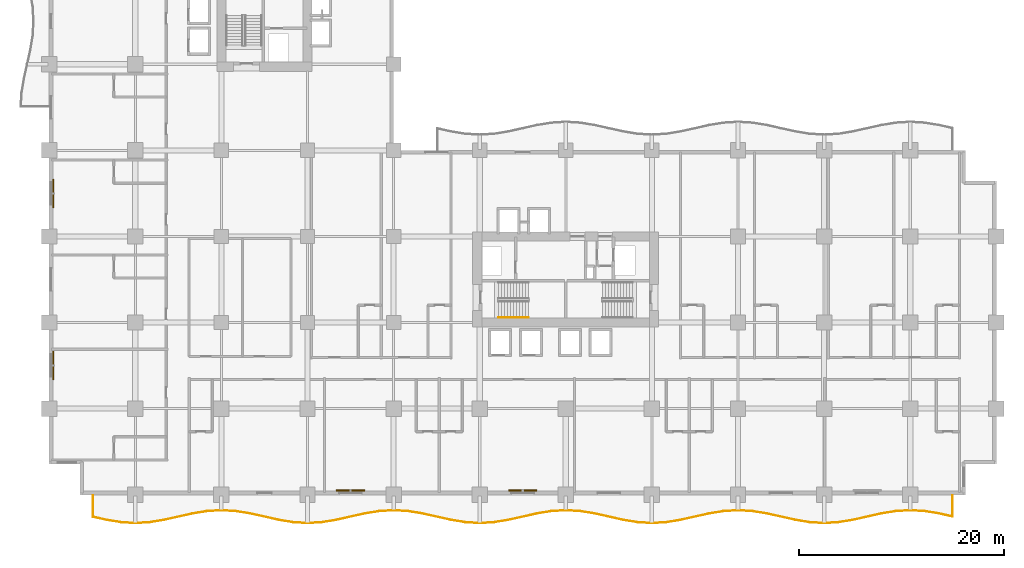
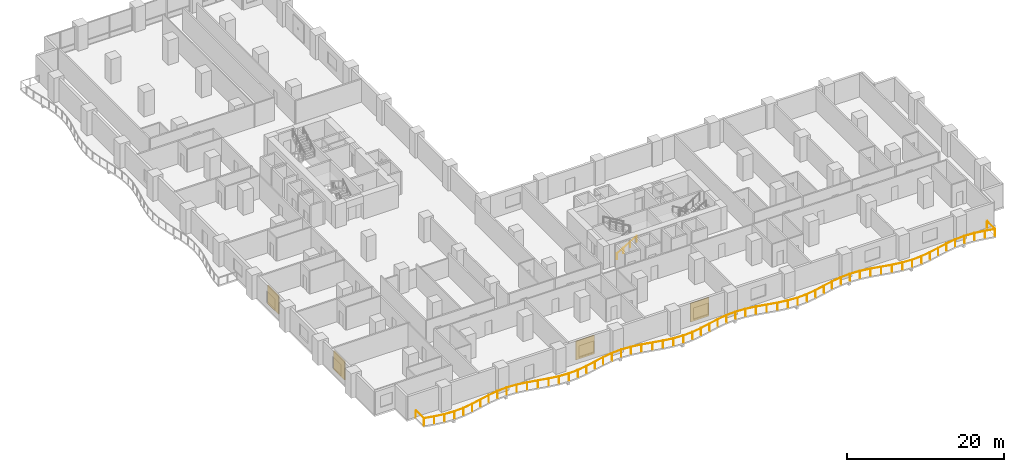
# One storey, part 21 of 24: 4 shading devices, 2 railings.
"""IFC4 building model written with IfcOpenShell, lengths in metres."""

from ifc_helpers import new_model, si_unit, direction, frame, origin, origin_2d, place, context, subcontext, project, spatial, rectangle, circle, extrude, material, layer, layer_set, type_object, element, save


model = new_model("IFC4")

# Units and contexts
model_context = context("Model", 3, precision=1e-05, world=origin(), true_north=direction((0.0, 1.0)))
body_context = subcontext(model_context, "Body", "Model", "MODEL_VIEW")
ifc_project = project(units=[si_unit("LENGTHUNIT", "METRE"), si_unit("AREAUNIT", "SQUARE_METRE"), si_unit("VOLUMEUNIT", "CUBIC_METRE"), si_unit("PLANEANGLEUNIT", "RADIAN"), si_unit("MASSUNIT", "GRAM", prefix="KILO")], contexts=[model_context])

# Site, building, storey
site_placement = place(None, origin())
site = spatial("IfcSite", under=ifc_project, at=site_placement, CompositionType="ELEMENT")
building_placement = place(site_placement, origin())
building = spatial("IfcBuilding", under=site, at=building_placement, Name="Koriwani Terraces Tower", CompositionType="ELEMENT")
storey_placement = place(building_placement, frame((0.0, 0.0, 47.199951171875)))
storey = spatial("IfcBuildingStorey", under=building, at=storey_placement, Name="L10", CompositionType="ELEMENT", Elevation=47.199951171875)

# Railings
ifc_material_1 = material(Name="Steel ASTM A572 Grade 50", Category="steel")
railing_type_1 = type_object("IfcRailingType", Name="GUARD_BALUSTRADE_1150", PredefinedType="BALUSTRADE", material=ifc_material_1)
railing_1_placement = place(storey_placement, frame((4.280029296875, -0.080078125, 0.0)))
element("IfcRailing", 1, at=railing_1_placement, inside=storey, type_object=railing_type_1, Name="L10 Balcony Perimeter Safety Balustrade (S)", PredefinedType="BALUSTRADE", context=body_context, shape_type="SweptSolid", body=[
    extrude(circle(Radius=0.02392578125, at=origin_2d()), frame((0.0, 0.0, 1.1259765625), z_axis=(0.0, -1.0, 0.0), x_axis=(1.0, 0.0, 0.0)), (0.0, 0.0, 1.0), 2.080810546875),
    extrude(circle(Radius=0.02392578125, at=origin_2d()), frame((0.0, -2.080810546875, 1.1259765625), z_axis=(0.97597243809, -0.217894011137, 0.0), x_axis=(0.217894011137, 0.97597243809, 0.0)), (0.0, 0.0, 1.0), 1.3681640625),
    extrude(circle(Radius=0.02392578125, at=origin_2d()), frame((1.335205078125, -2.37890625, 1.1259765625), z_axis=(0.986903124066, -0.16131405304, 0.0), x_axis=(0.16131405304, 0.986903124066, 0.0)), (0.0, 0.0, 1.0), 1.412109375),
    extrude(circle(Radius=0.02392578125, at=origin_2d()), frame((2.728759765625, -2.606689453125, 1.1259765625), z_axis=(0.998214050326, -0.059738678687, 0.0), x_axis=(0.059738678687, 0.998214050326, 0.0)), (0.0, 0.0, 1.0), 1.3935546875),
    extrude(circle(Radius=0.02392578125, at=origin_2d()), frame((4.119873046875, -2.68994140625, 1.1259765625), z_axis=(0.998214050326, 0.059738678687, 0.0), x_axis=(-0.059738678687, 0.998214050326, 0.0)), (0.0, 0.0, 1.0), 1.3935546875),
    extrude(circle(Radius=0.02392578125, at=origin_2d()), frame((5.510986328125, -2.606689453125, 1.1259765625), z_axis=(0.986907622111, 0.161286532042, 0.0), x_axis=(-0.161286532042, 0.986907622111, 0.0)), (0.0, 0.0, 1.0), 1.412353515625),
    extrude(circle(Radius=0.02392578125, at=origin_2d()), frame((6.90478515625, -2.37890625, 1.1259765625), z_axis=(0.975982393728, 0.217849413893, 0.0), x_axis=(-0.217849413893, 0.975982393728, 0.0)), (0.0, 0.0, 1.0), 2.868896484375),
    extrude(circle(Radius=0.02392578125, at=origin_2d()), frame((9.704833984375, -1.75390625, 1.1259765625), z_axis=(0.986916749742, 0.161230670401, 0.0), x_axis=(-0.161230670401, 0.986916749742, 0.0)), (0.0, 0.0, 1.0), 1.4248046875),
    extrude(circle(Radius=0.02392578125, at=origin_2d()), frame((11.111083984375, -1.524169921875, 1.1259765625), z_axis=(0.998217851573, 0.059675127152, 0.0), x_axis=(-0.059675127152, 0.998217851573, 0.0)), (0.0, 0.0, 1.0), 1.411376953125),
    extrude(circle(Radius=0.02392578125, at=origin_2d()), frame((12.52001953125, -1.43994140625, 1.1259765625), z_axis=(0.998217235442, -0.059685432622, 0.0), x_axis=(0.059685432622, 0.998217235442, 0.0)), (0.0, 0.0, 1.0), 1.4111328125),
    extrude(circle(Radius=0.02392578125, at=origin_2d()), frame((13.9287109375, -1.524169921875, 1.1259765625), z_axis=(0.986921202645, -0.161203411159, 0.0), x_axis=(0.161203411159, 0.986921202645, 0.0)), (0.0, 0.0, 1.0), 1.425048828125),
    extrude(circle(Radius=0.02392578125, at=origin_2d()), frame((15.335205078125, -1.75390625, 1.1259765625), z_axis=(0.975982393728, -0.217849413893, 0.0), x_axis=(0.217849413893, 0.975982393728, 0.0)), (0.0, 0.0, 1.0), 2.868896484375),
    extrude(circle(Radius=0.02392578125, at=origin_2d()), frame((18.13525390625, -2.37890625, 1.1259765625), z_axis=(0.986903124066, -0.16131405304, 0.0), x_axis=(0.16131405304, 0.986903124066, 0.0)), (0.0, 0.0, 1.0), 1.412109375),
    extrude(circle(Radius=0.02392578125, at=origin_2d()), frame((19.52880859375, -2.606689453125, 1.1259765625), z_axis=(0.998214050326, -0.059738678687, 0.0), x_axis=(0.059738678687, 0.998214050326, 0.0)), (0.0, 0.0, 1.0), 1.3935546875),
    extrude(circle(Radius=0.02392578125, at=origin_2d()), frame((20.919921875, -2.68994140625, 1.1259765625), z_axis=(0.998214050326, 0.059738678687, 0.0), x_axis=(-0.059738678687, 0.998214050326, 0.0)), (0.0, 0.0, 1.0), 1.3935546875),
    extrude(circle(Radius=0.02392578125, at=origin_2d()), frame((22.31103515625, -2.606689453125, 1.1259765625), z_axis=(0.986907622111, 0.161286532042, 0.0), x_axis=(-0.161286532042, 0.986907622111, 0.0)), (0.0, 0.0, 1.0), 1.412353515625),
    extrude(circle(Radius=0.02392578125, at=origin_2d()), frame((23.704833984375, -2.37890625, 1.1259765625), z_axis=(0.975982393728, 0.217849413893, 0.0), x_axis=(-0.217849413893, 0.975982393728, 0.0)), (0.0, 0.0, 1.0), 2.868896484375),
    extrude(circle(Radius=0.02392578125, at=origin_2d()), frame((26.5048828125, -1.75390625, 1.1259765625), z_axis=(0.986916749742, 0.161230670401, 0.0), x_axis=(-0.161230670401, 0.986916749742, 0.0)), (0.0, 0.0, 1.0), 1.4248046875),
    extrude(circle(Radius=0.02392578125, at=origin_2d()), frame((27.9111328125, -1.524169921875, 1.1259765625), z_axis=(0.998217851573, 0.059675127152, 0.0), x_axis=(-0.059675127152, 0.998217851573, 0.0)), (0.0, 0.0, 1.0), 1.411376953125),
    extrude(circle(Radius=0.02392578125, at=origin_2d()), frame((29.320068359375, -1.43994140625, 1.1259765625), z_axis=(0.998217235442, -0.059685432622, 0.0), x_axis=(0.059685432622, 0.998217235442, 0.0)), (0.0, 0.0, 1.0), 1.4111328125),
    extrude(circle(Radius=0.02392578125, at=origin_2d()), frame((30.728759765625, -1.524169921875, 1.1259765625), z_axis=(0.986921202645, -0.161203411159, 0.0), x_axis=(0.161203411159, 0.986921202645, 0.0)), (0.0, 0.0, 1.0), 1.425048828125),
    extrude(circle(Radius=0.02392578125, at=origin_2d()), frame((32.13525390625, -1.75390625, 1.1259765625), z_axis=(0.97597835464, -0.217867508535, 0.0), x_axis=(0.217867508535, 0.97597835464, 0.0)), (0.0, 0.0, 1.0), 2.86865234375),
    extrude(circle(Radius=0.02392578125, at=origin_2d()), frame((34.93505859375, -2.37890625, 1.1259765625), z_axis=(0.986907622111, -0.161286532042, 0.0), x_axis=(0.161286532042, 0.986907622111, 0.0)), (0.0, 0.0, 1.0), 1.412353515625),
    extrude(circle(Radius=0.02392578125, at=origin_2d()), frame((36.328857421875, -2.606689453125, 1.1259765625), z_axis=(0.998214050326, -0.059738678687, 0.0), x_axis=(0.059738678687, 0.998214050326, 0.0)), (0.0, 0.0, 1.0), 1.3935546875),
    extrude(circle(Radius=0.02392578125, at=origin_2d()), frame((37.719970703125, -2.68994140625, 1.1259765625), z_axis=(0.998214050326, 0.059738678687, 0.0), x_axis=(-0.059738678687, 0.998214050326, 0.0)), (0.0, 0.0, 1.0), 1.3935546875),
    extrude(circle(Radius=0.02392578125, at=origin_2d()), frame((39.111083984375, -2.606689453125, 1.1259765625), z_axis=(0.986907622111, 0.161286532042, 0.0), x_axis=(-0.161286532042, 0.986907622111, 0.0)), (0.0, 0.0, 1.0), 1.412353515625),
    extrude(circle(Radius=0.02392578125, at=origin_2d()), frame((40.5048828125, -2.37890625, 1.1259765625), z_axis=(0.97597835464, 0.217867508535, 0.0), x_axis=(-0.217867508535, 0.97597835464, 0.0)), (0.0, 0.0, 1.0), 2.86865234375),
    extrude(circle(Radius=0.02392578125, at=origin_2d()), frame((43.3046875, -1.75390625, 1.1259765625), z_axis=(0.986921202645, 0.161203411159, 0.0), x_axis=(-0.161203411159, 0.986921202645, 0.0)), (0.0, 0.0, 1.0), 1.425048828125),
    extrude(circle(Radius=0.02392578125, at=origin_2d()), frame((44.711181640625, -1.524169921875, 1.1259765625), z_axis=(0.998217235442, 0.059685432622, 0.0), x_axis=(-0.059685432622, 0.998217235442, 0.0)), (0.0, 0.0, 1.0), 1.4111328125),
    extrude(circle(Radius=0.02392578125, at=origin_2d()), frame((46.119873046875, -1.43994140625, 1.1259765625), z_axis=(0.998217851573, -0.059675127152, 0.0), x_axis=(0.059675127152, 0.998217851573, 0.0)), (0.0, 0.0, 1.0), 1.411376953125),
    extrude(circle(Radius=0.02392578125, at=origin_2d()), frame((47.52880859375, -1.524169921875, 1.1259765625), z_axis=(0.986916749742, -0.161230670401, 0.0), x_axis=(0.161230670401, 0.986916749742, 0.0)), (0.0, 0.0, 1.0), 1.4248046875),
    extrude(circle(Radius=0.02392578125, at=origin_2d()), frame((48.93505859375, -1.75390625, 1.1259765625), z_axis=(0.975982393728, -0.217849413893, 0.0), x_axis=(0.217849413893, 0.975982393728, 0.0)), (0.0, 0.0, 1.0), 2.868896484375),
    extrude(circle(Radius=0.02392578125, at=origin_2d()), frame((51.735107421875, -2.37890625, 1.1259765625), z_axis=(0.986907622111, -0.161286532042, 0.0), x_axis=(0.161286532042, 0.986907622111, 0.0)), (0.0, 0.0, 1.0), 1.412353515625),
    extrude(circle(Radius=0.02392578125, at=origin_2d()), frame((53.12890625, -2.606689453125, 1.1259765625), z_axis=(0.998214050326, -0.059738678687, 0.0), x_axis=(0.059738678687, 0.998214050326, 0.0)), (0.0, 0.0, 1.0), 1.3935546875),
    extrude(circle(Radius=0.02392578125, at=origin_2d()), frame((54.52001953125, -2.68994140625, 1.1259765625), z_axis=(0.998214050326, 0.059738678687, 0.0), x_axis=(-0.059738678687, 0.998214050326, 0.0)), (0.0, 0.0, 1.0), 1.3935546875),
    extrude(circle(Radius=0.02392578125, at=origin_2d()), frame((55.9111328125, -2.606689453125, 1.1259765625), z_axis=(0.986903124066, 0.16131405304, 0.0), x_axis=(-0.16131405304, 0.986903124066, 0.0)), (0.0, 0.0, 1.0), 1.412109375),
    extrude(circle(Radius=0.02392578125, at=origin_2d()), frame((57.3046875, -2.37890625, 1.1259765625), z_axis=(0.975982393728, 0.217849413893, 0.0), x_axis=(-0.217849413893, 0.975982393728, 0.0)), (0.0, 0.0, 1.0), 2.868896484375),
    extrude(circle(Radius=0.02392578125, at=origin_2d()), frame((60.104736328125, -1.75390625, 1.1259765625), z_axis=(0.986921202645, 0.161203411159, 0.0), x_axis=(-0.161203411159, 0.986921202645, 0.0)), (0.0, 0.0, 1.0), 1.425048828125),
    extrude(circle(Radius=0.02392578125, at=origin_2d()), frame((61.51123046875, -1.524169921875, 1.1259765625), z_axis=(0.998217235442, 0.059685432622, 0.0), x_axis=(-0.059685432622, 0.998217235442, 0.0)), (0.0, 0.0, 1.0), 1.4111328125),
    extrude(circle(Radius=0.02392578125, at=origin_2d()), frame((62.919921875, -1.43994140625, 1.1259765625), z_axis=(0.998217851573, -0.059675127152, 0.0), x_axis=(0.059675127152, 0.998217851573, 0.0)), (0.0, 0.0, 1.0), 1.411376953125),
    extrude(circle(Radius=0.02392578125, at=origin_2d()), frame((64.328857421875, -1.524169921875, 1.1259765625), z_axis=(0.986916749742, -0.161230670401, 0.0), x_axis=(0.161230670401, 0.986916749742, 0.0)), (0.0, 0.0, 1.0), 1.4248046875),
    extrude(circle(Radius=0.02392578125, at=origin_2d()), frame((65.735107421875, -1.75390625, 1.1259765625), z_axis=(0.975982393728, -0.217849413893, 0.0), x_axis=(0.217849413893, 0.975982393728, 0.0)), (0.0, 0.0, 1.0), 2.868896484375),
    extrude(circle(Radius=0.02392578125, at=origin_2d()), frame((68.53515625, -2.37890625, 1.1259765625), z_axis=(0.986907622111, -0.161286532042, 0.0), x_axis=(0.161286532042, 0.986907622111, 0.0)), (0.0, 0.0, 1.0), 1.412353515625),
    extrude(circle(Radius=0.02392578125, at=origin_2d()), frame((69.928955078125, -2.606689453125, 1.1259765625), z_axis=(0.998214050326, -0.059738678687, 0.0), x_axis=(0.059738678687, 0.998214050326, 0.0)), (0.0, 0.0, 1.0), 1.3935546875),
    extrude(circle(Radius=0.02392578125, at=origin_2d()), frame((71.320068359375, -2.68994140625, 1.1259765625), z_axis=(0.998214050326, 0.059738678687, 0.0), x_axis=(-0.059738678687, 0.998214050326, 0.0)), (0.0, 0.0, 1.0), 1.3935546875),
    extrude(circle(Radius=0.02392578125, at=origin_2d()), frame((72.711181640625, -2.606689453125, 1.1259765625), z_axis=(0.986903124066, 0.16131405304, 0.0), x_axis=(-0.16131405304, 0.986903124066, 0.0)), (0.0, 0.0, 1.0), 1.412109375),
    extrude(circle(Radius=0.02392578125, at=origin_2d()), frame((74.104736328125, -2.37890625, 1.1259765625), z_axis=(0.975982393728, 0.217849413893, 0.0), x_axis=(-0.217849413893, 0.975982393728, 0.0)), (0.0, 0.0, 1.0), 2.868896484375),
    extrude(circle(Radius=0.02392578125, at=origin_2d()), frame((76.90478515625, -1.75390625, 1.1259765625), z_axis=(0.986921202645, 0.161203411159, 0.0), x_axis=(-0.161203411159, 0.986921202645, 0.0)), (0.0, 0.0, 1.0), 1.425048828125),
    extrude(circle(Radius=0.02392578125, at=origin_2d()), frame((78.311279296875, -1.524169921875, 1.1259765625), z_axis=(0.998217235442, 0.059685432622, 0.0), x_axis=(-0.059685432622, 0.998217235442, 0.0)), (0.0, 0.0, 1.0), 1.4111328125),
    extrude(circle(Radius=0.02392578125, at=origin_2d()), frame((79.719970703125, -1.43994140625, 1.1259765625), z_axis=(0.998217235442, -0.059685432622, 0.0), x_axis=(0.059685432622, 0.998217235442, 0.0)), (0.0, 0.0, 1.0), 1.4111328125),
    extrude(circle(Radius=0.02392578125, at=origin_2d()), frame((81.128662109375, -1.524169921875, 1.1259765625), z_axis=(0.986921202645, -0.161203411159, 0.0), x_axis=(0.161203411159, 0.986921202645, 0.0)), (0.0, 0.0, 1.0), 1.425048828125),
    extrude(circle(Radius=0.02392578125, at=origin_2d()), frame((82.53515625, -1.75390625, 1.1259765625), z_axis=(0.975984705678, -0.217839055917, 0.0), x_axis=(0.217839055917, 0.975984705678, 0.0)), (0.0, 0.0, 1.0), 1.337158203125),
    extrude(circle(Radius=0.02392578125, at=origin_2d()), frame((83.840087890625, -2.045166015625, 1.1259765625), z_axis=(0.0, 1.0, 0.0), x_axis=(-1.0, 0.0, 0.0)), (0.0, 0.0, 1.0), 2.045166015625),
    extrude(circle(Radius=0.02099609375, at=origin_2d()), origin(), (0.0, 0.0, 1.0), 1.101806640625),
    extrude(circle(Radius=0.02099609375, at=origin_2d()), frame((0.0, -2.080810546875, 0.0)), (0.0, 0.0, 1.0), 1.101806640625),
    extrude(circle(Radius=0.02099609375, at=origin_2d()), frame((1.335205078125, -2.37890625, 0.0)), (0.0, 0.0, 1.0), 1.101806640625),
    extrude(circle(Radius=0.02099609375, at=origin_2d()), frame((2.728759765625, -2.606689453125, 0.0)), (0.0, 0.0, 1.0), 1.101806640625),
    extrude(circle(Radius=0.02099609375, at=origin_2d()), frame((4.119873046875, -2.68994140625, 0.0)), (0.0, 0.0, 1.0), 1.101806640625),
    extrude(circle(Radius=0.02099609375, at=origin_2d()), frame((5.510986328125, -2.606689453125, 0.0)), (0.0, 0.0, 1.0), 1.101806640625),
    extrude(circle(Radius=0.02099609375, at=origin_2d()), frame((6.90478515625, -2.37890625, 0.0)), (0.0, 0.0, 1.0), 1.101806640625),
    extrude(circle(Radius=0.02099609375, at=origin_2d()), frame((8.3046875, -2.06640625, 0.0)), (0.0, 0.0, 1.0), 1.101806640625),
    extrude(circle(Radius=0.02099609375, at=origin_2d()), frame((9.704833984375, -1.75390625, 0.0)), (0.0, 0.0, 1.0), 1.101806640625),
    extrude(circle(Radius=0.02099609375, at=origin_2d()), frame((11.111083984375, -1.524169921875, 0.0)), (0.0, 0.0, 1.0), 1.101806640625),
    extrude(circle(Radius=0.02099609375, at=origin_2d()), frame((12.52001953125, -1.43994140625, 0.0)), (0.0, 0.0, 1.0), 1.101806640625),
    extrude(circle(Radius=0.02099609375, at=origin_2d()), frame((13.9287109375, -1.524169921875, 0.0)), (0.0, 0.0, 1.0), 1.101806640625),
    extrude(circle(Radius=0.02099609375, at=origin_2d()), frame((15.335205078125, -1.75390625, 0.0)), (0.0, 0.0, 1.0), 1.101806640625),
    extrude(circle(Radius=0.02099609375, at=origin_2d()), frame((16.7353515625, -2.06640625, 0.0)), (0.0, 0.0, 1.0), 1.101806640625),
    extrude(circle(Radius=0.02099609375, at=origin_2d()), frame((18.13525390625, -2.37890625, 0.0)), (0.0, 0.0, 1.0), 1.101806640625),
    extrude(circle(Radius=0.02099609375, at=origin_2d()), frame((19.52880859375, -2.606689453125, 0.0)), (0.0, 0.0, 1.0), 1.101806640625),
    extrude(circle(Radius=0.02099609375, at=origin_2d()), frame((20.919921875, -2.68994140625, 0.0)), (0.0, 0.0, 1.0), 1.101806640625),
    extrude(circle(Radius=0.02099609375, at=origin_2d()), frame((22.31103515625, -2.606689453125, 0.0)), (0.0, 0.0, 1.0), 1.101806640625),
    extrude(circle(Radius=0.02099609375, at=origin_2d()), frame((23.704833984375, -2.37890625, 0.0)), (0.0, 0.0, 1.0), 1.101806640625),
    extrude(circle(Radius=0.02099609375, at=origin_2d()), frame((25.10498046875, -2.06640625, 0.0)), (0.0, 0.0, 1.0), 1.101806640625),
    extrude(circle(Radius=0.02099609375, at=origin_2d()), frame((26.5048828125, -1.75390625, 0.0)), (0.0, 0.0, 1.0), 1.101806640625),
    extrude(circle(Radius=0.02099609375, at=origin_2d()), frame((27.9111328125, -1.524169921875, 0.0)), (0.0, 0.0, 1.0), 1.101806640625),
    extrude(circle(Radius=0.02099609375, at=origin_2d()), frame((29.320068359375, -1.43994140625, 0.0)), (0.0, 0.0, 1.0), 1.101806640625),
    extrude(circle(Radius=0.02099609375, at=origin_2d()), frame((30.728759765625, -1.524169921875, 0.0)), (0.0, 0.0, 1.0), 1.101806640625),
    extrude(circle(Radius=0.02099609375, at=origin_2d()), frame((32.13525390625, -1.75390625, 0.0)), (0.0, 0.0, 1.0), 1.101806640625),
    extrude(circle(Radius=0.02099609375, at=origin_2d()), frame((33.53515625, -2.06640625, 0.0)), (0.0, 0.0, 1.0), 1.101806640625),
    extrude(circle(Radius=0.02099609375, at=origin_2d()), frame((34.93505859375, -2.37890625, 0.0)), (0.0, 0.0, 1.0), 1.101806640625),
    extrude(circle(Radius=0.02099609375, at=origin_2d()), frame((36.328857421875, -2.606689453125, 0.0)), (0.0, 0.0, 1.0), 1.101806640625),
    extrude(circle(Radius=0.02099609375, at=origin_2d()), frame((37.719970703125, -2.68994140625, 0.0)), (0.0, 0.0, 1.0), 1.101806640625),
    extrude(circle(Radius=0.02099609375, at=origin_2d()), frame((39.111083984375, -2.606689453125, 0.0)), (0.0, 0.0, 1.0), 1.101806640625),
    extrude(circle(Radius=0.02099609375, at=origin_2d()), frame((40.5048828125, -2.37890625, 0.0)), (0.0, 0.0, 1.0), 1.101806640625),
    extrude(circle(Radius=0.02099609375, at=origin_2d()), frame((41.90478515625, -2.06640625, 0.0)), (0.0, 0.0, 1.0), 1.101806640625),
    extrude(circle(Radius=0.02099609375, at=origin_2d()), frame((43.3046875, -1.75390625, 0.0)), (0.0, 0.0, 1.0), 1.101806640625),
    extrude(circle(Radius=0.02099609375, at=origin_2d()), frame((44.711181640625, -1.524169921875, 0.0)), (0.0, 0.0, 1.0), 1.101806640625),
    extrude(circle(Radius=0.02099609375, at=origin_2d()), frame((46.119873046875, -1.43994140625, 0.0)), (0.0, 0.0, 1.0), 1.101806640625),
    extrude(circle(Radius=0.02099609375, at=origin_2d()), frame((47.52880859375, -1.524169921875, 0.0)), (0.0, 0.0, 1.0), 1.101806640625),
    extrude(circle(Radius=0.02099609375, at=origin_2d()), frame((48.93505859375, -1.75390625, 0.0)), (0.0, 0.0, 1.0), 1.101806640625),
    extrude(circle(Radius=0.02099609375, at=origin_2d()), frame((50.3349609375, -2.06640625, 0.0)), (0.0, 0.0, 1.0), 1.101806640625),
    extrude(circle(Radius=0.02099609375, at=origin_2d()), frame((51.735107421875, -2.37890625, 0.0)), (0.0, 0.0, 1.0), 1.101806640625),
    extrude(circle(Radius=0.02099609375, at=origin_2d()), frame((53.12890625, -2.606689453125, 0.0)), (0.0, 0.0, 1.0), 1.101806640625),
    extrude(circle(Radius=0.02099609375, at=origin_2d()), frame((54.52001953125, -2.68994140625, 0.0)), (0.0, 0.0, 1.0), 1.101806640625),
    extrude(circle(Radius=0.02099609375, at=origin_2d()), frame((55.9111328125, -2.606689453125, 0.0)), (0.0, 0.0, 1.0), 1.101806640625),
    extrude(circle(Radius=0.02099609375, at=origin_2d()), frame((57.3046875, -2.37890625, 0.0)), (0.0, 0.0, 1.0), 1.101806640625),
    extrude(circle(Radius=0.02099609375, at=origin_2d()), frame((58.70458984375, -2.06640625, 0.0)), (0.0, 0.0, 1.0), 1.101806640625),
    extrude(circle(Radius=0.02099609375, at=origin_2d()), frame((60.104736328125, -1.75390625, 0.0)), (0.0, 0.0, 1.0), 1.101806640625),
    extrude(circle(Radius=0.02099609375, at=origin_2d()), frame((61.51123046875, -1.524169921875, 0.0)), (0.0, 0.0, 1.0), 1.101806640625),
    extrude(circle(Radius=0.02099609375, at=origin_2d()), frame((62.919921875, -1.43994140625, 0.0)), (0.0, 0.0, 1.0), 1.101806640625),
    extrude(circle(Radius=0.02099609375, at=origin_2d()), frame((64.328857421875, -1.524169921875, 0.0)), (0.0, 0.0, 1.0), 1.101806640625),
    extrude(circle(Radius=0.02099609375, at=origin_2d()), frame((65.735107421875, -1.75390625, 0.0)), (0.0, 0.0, 1.0), 1.101806640625),
    extrude(circle(Radius=0.02099609375, at=origin_2d()), frame((67.13525390625, -2.06640625, 0.0)), (0.0, 0.0, 1.0), 1.101806640625),
    extrude(circle(Radius=0.02099609375, at=origin_2d()), frame((68.53515625, -2.37890625, 0.0)), (0.0, 0.0, 1.0), 1.101806640625),
    extrude(circle(Radius=0.02099609375, at=origin_2d()), frame((69.928955078125, -2.606689453125, 0.0)), (0.0, 0.0, 1.0), 1.101806640625),
    extrude(circle(Radius=0.02099609375, at=origin_2d()), frame((71.320068359375, -2.68994140625, 0.0)), (0.0, 0.0, 1.0), 1.101806640625),
    extrude(circle(Radius=0.02099609375, at=origin_2d()), frame((72.711181640625, -2.606689453125, 0.0)), (0.0, 0.0, 1.0), 1.101806640625),
    extrude(circle(Radius=0.02099609375, at=origin_2d()), frame((74.104736328125, -2.37890625, 0.0)), (0.0, 0.0, 1.0), 1.101806640625),
    extrude(circle(Radius=0.02099609375, at=origin_2d()), frame((75.5048828125, -2.06640625, 0.0)), (0.0, 0.0, 1.0), 1.101806640625),
    extrude(circle(Radius=0.02099609375, at=origin_2d()), frame((76.90478515625, -1.75390625, 0.0)), (0.0, 0.0, 1.0), 1.101806640625),
    extrude(circle(Radius=0.02099609375, at=origin_2d()), frame((78.311279296875, -1.524169921875, 0.0)), (0.0, 0.0, 1.0), 1.101806640625),
    extrude(circle(Radius=0.02099609375, at=origin_2d()), frame((79.719970703125, -1.43994140625, 0.0)), (0.0, 0.0, 1.0), 1.101806640625),
    extrude(circle(Radius=0.02099609375, at=origin_2d()), frame((81.128662109375, -1.524169921875, 0.0)), (0.0, 0.0, 1.0), 1.101806640625),
    extrude(circle(Radius=0.02099609375, at=origin_2d()), frame((82.53515625, -1.75390625, 0.0)), (0.0, 0.0, 1.0), 1.101806640625),
    extrude(circle(Radius=0.02099609375, at=origin_2d()), frame((83.840087890625, -2.045166015625, 0.0)), (0.0, 0.0, 1.0), 1.101806640625),
    extrude(circle(Radius=0.02099609375, at=origin_2d()), frame((83.840087890625, 0.0, 0.0)), (0.0, 0.0, 1.0), 1.101806640625),
])
railing_type_2 = type_object("IfcRailingType", Name="HANDRAIL_STAIR_920", PredefinedType="HANDRAIL", material=ifc_material_1)
railing_2_placement = place(storey_placement, frame((43.85009765625, 17.300048828125, 0.1728515625)))
element("IfcRailing", 2, at=railing_2_placement, inside=storey, type_object=railing_type_2, Name="L10 ST-E1 stair handrail 1", PredefinedType="HANDRAIL", context=body_context, shape_type="SweptSolid", body=[
    extrude(circle(Radius=0.02392578125, at=origin_2d()), frame((0.0, 0.0, 0.8759765625), z_axis=(0.859141464434, 0.0, 0.511738159696), x_axis=(0.0, 1.0, 0.0)), (0.0, 0.0, 1.0), 3.375244140625),
    extrude(circle(Radius=0.02099609375, at=origin_2d()), origin(), (0.0, 0.0, 1.0), 0.851806640625),
    extrude(circle(Radius=0.02099609375, at=origin_2d()), frame((0.966552734375, 0.0, 0.57568359375)), (0.0, 0.0, 1.0), 0.851806640625),
    extrude(circle(Radius=0.02099609375, at=origin_2d()), frame((1.933349609375, 0.0, 1.151611328125)), (0.0, 0.0, 1.0), 0.851806640625),
    extrude(circle(Radius=0.02099609375, at=origin_2d()), frame((2.89990234375, 0.0, 1.727294921875)), (0.0, 0.0, 1.0), 0.851806640625),
])

# Shading devices
ifc_material_2 = material(Name="Extruded Terracotta Clay", Category="masonry")
ifc_layer = layer(ifc_material_2, 0.1201171875, Name="Extruded Terracotta Clay")
ifc_layer_set = layer_set([ifc_layer], Name="Extruded Terracotta Clay")
shading_device_type = type_object("IfcShadingDeviceType", Name="TERRACOTTA_BAGUETTE_SCREEN_2800", PredefinedType="USERDEFINED", material=ifc_layer_set)
for number, where, z_axis, x_axis, name in (
    (3, (0.405029296875, 12.60009765625, 0.3251953125), (0.0, 0.0, 1.0), (0.0, 1.0, 0.0), "L10 Extruded Terracotta Baguette Screen (W-3)"),
    (4, (0.405029296875, 29.39990234375, 0.3251953125), (0.0, 0.0, 1.0), (0.0, 1.0, 0.0), "L10 Extruded Terracotta Baguette Screen (W-9)"),
    (5, (29.39990234375, 0.405029296875, 0.3251953125), (0.0, 0.0, 1.0), (-1.0, 0.0, 0.0), "L10 Extruded Terracotta Baguette Screen (S-9)"),
    (6, (46.199951171875, 0.405029296875, 0.3251953125), (0.0, 0.0, 1.0), (-1.0, 0.0, 0.0), "L10 Extruded Terracotta Baguette Screen (S-15)"),
):
    element("IfcShadingDevice", number, at=place(storey_placement, frame(where, z_axis=z_axis, x_axis=x_axis)), inside=storey, type_object=shading_device_type, Name=name, ObjectType="BAGUETTE", PredefinedType="USERDEFINED", context=body_context, shape_type="SweptSolid", body=[
        extrude(rectangle(XDim=2.760009765625, YDim=0.1201171875, at=origin_2d()), origin(), (0.0, 0.0, 1.0), 2.89990234375),
    ])

save(model, "model.ifc")
